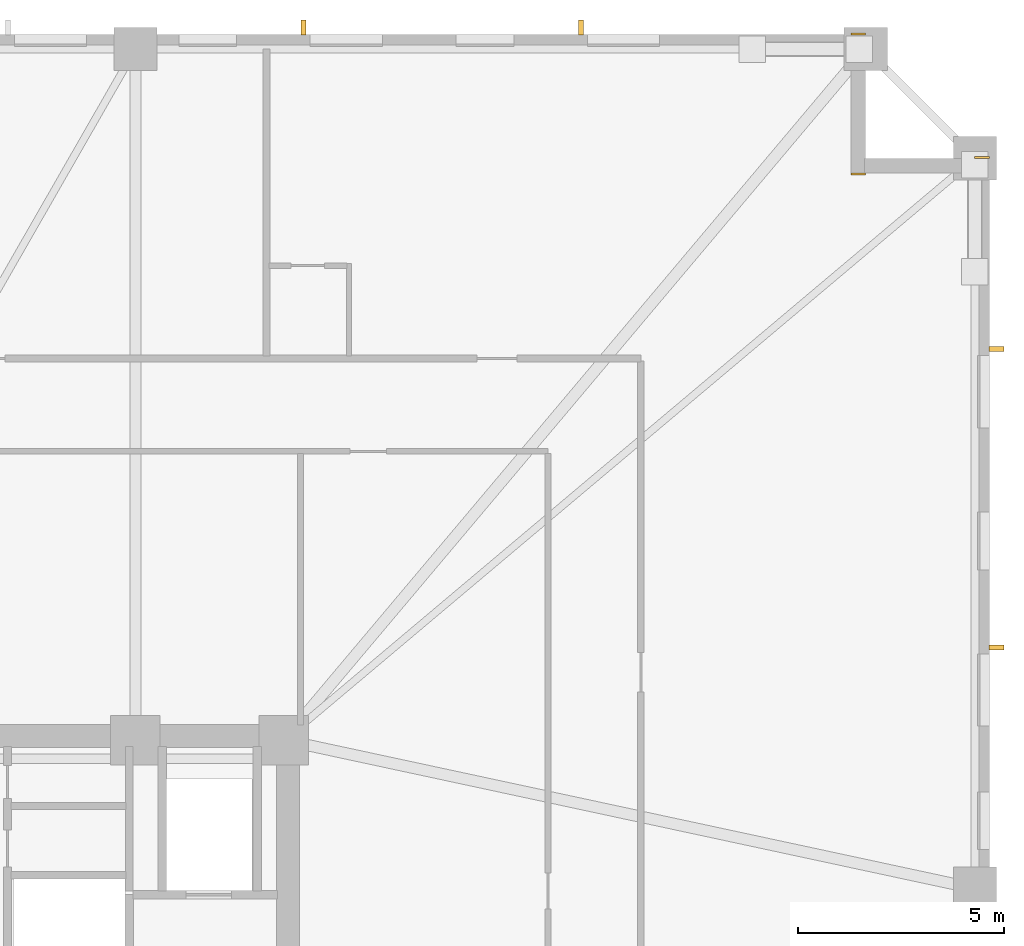
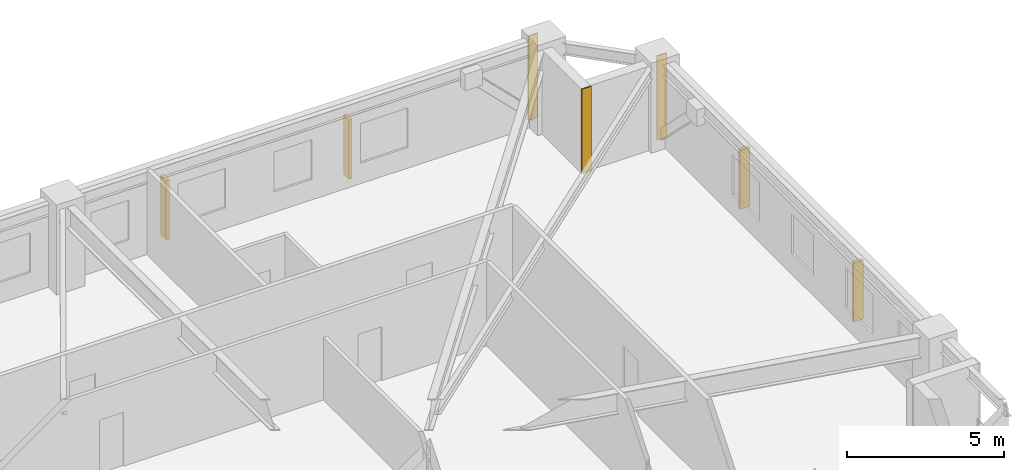
# One storey, part 11 of 11: 4 shading devices, 3 coverings.
"""IFC4 building model written with IfcOpenShell, lengths in metres."""

import ifcopenshell
import ifcopenshell.guid

model = None  # the IFC model being written
_history = None  # IfcOwnerHistory: only IFC2X3 demands one
_inside = {}  # id of a spatial element -> (the spatial element, [elements in it])
_under = {}  # id of a project, library or spatial element -> (it, [spatial elements below it])
_declared = {}  # id of a project -> (the project, [libraries it declares])
_typed = {}  # id of a type object -> (the type object, [elements of that type])
_made_of = {}  # id of a material, layer set ... -> (it, [elements and type objects made of it])


def new_model(schema):
    """Start an empty IFC model of exactly this schema.

    Asked for "IFC4X3", IfcOpenShell would pick the latest addendum, in which some entities
    have other attributes; the version numbers below select the first issue.
    IFC2X3 requires an IfcOwnerHistory on every rooted entity: one is made here for all.
    """
    global model, _history
    if schema == "IFC4X3":
        model = ifcopenshell.file(schema_version=(4, 3, 0, 0))
    else:
        model = ifcopenshell.file(schema=schema)
    _inside.clear()
    _under.clear()
    _declared.clear()
    _typed.clear()
    _made_of.clear()
    _history = None
    if model.schema == "IFC2X3":
        org = make("IfcOrganization", Name="unknown")
        user = make(
            "IfcPersonAndOrganization",
            ThePerson=make("IfcPerson", FamilyName="unknown"),
            TheOrganization=org,
        )
        app = make(
            "IfcApplication",
            ApplicationDeveloper=org,
            Version="unknown",
            ApplicationFullName="unknown",
            ApplicationIdentifier="unknown",
        )
        _history = make(
            "IfcOwnerHistory",
            OwningUser=user,
            OwningApplication=app,
            ChangeAction="ADDED",
            CreationDate=0,
        )
    return model


def make(cls, **values):
    """One entity of the class cls with the attributes given. An attribute that is None is left unset."""
    return model.create_entity(
        cls, **{name: value for name, value in values.items() if value is not None}
    )


def rooted(cls, **values):
    """An entity with a GlobalId (a new one), such as an element, a storey or a relation."""
    return make(cls, GlobalId=ifcopenshell.guid.new(), OwnerHistory=_history, **values)


def si_unit(unit_type, name, prefix=None):
    """IfcSIUnit, for example si_unit("LENGTHUNIT", "METRE", prefix="MILLI")."""
    return make("IfcSIUnit", UnitType=unit_type, Prefix=prefix, Name=name)


def assignment(units):
    """IfcUnitAssignment: the units of a project."""
    return None if units is None else make("IfcUnitAssignment", Units=units)


def point(xyz):
    """IfcCartesianPoint."""
    return None if xyz is None else make("IfcCartesianPoint", Coordinates=xyz)


def direction(xyz):
    """IfcDirection."""
    return None if xyz is None else make("IfcDirection", DirectionRatios=xyz)


def frame(location, z_axis=None, x_axis=None):
    """IfcAxis2Placement3D, a coordinate frame: its origin and axes. An axis left out is left unset."""
    return make(
        "IfcAxis2Placement3D",
        Location=point(location),
        Axis=direction(z_axis),
        RefDirection=direction(x_axis),
    )


def frame_2d(location, x_axis=None):
    """IfcAxis2Placement2D, a coordinate frame in the plane: its origin and x axis."""
    return make(
        "IfcAxis2Placement2D", Location=point(location), RefDirection=direction(x_axis)
    )


def origin():
    """The frame at (0, 0, 0) with its axes left unset."""
    return frame((0.0, 0.0, 0.0))


def origin_2d():
    """The frame at (0, 0) in the plane with its x axis left unset."""
    return frame_2d((0.0, 0.0))


def place(relative_to, where):
    """IfcLocalPlacement: puts the frame where relative to a parent placement (None: the world)."""
    return make(
        "IfcLocalPlacement", PlacementRelTo=relative_to, RelativePlacement=where
    )


def context(
    kind, dimensions, precision=None, world=None, true_north=None, identifier=None
):
    """IfcGeometricRepresentationContext, for example the 3D "Model" context."""
    return make(
        "IfcGeometricRepresentationContext",
        ContextIdentifier=identifier,
        ContextType=kind,
        CoordinateSpaceDimension=dimensions,
        Precision=precision,
        WorldCoordinateSystem=world,
        TrueNorth=true_north,
    )


def subcontext(parent, identifier, kind, view, scale=None):
    """IfcGeometricRepresentationSubContext, for example "Body" below "Model"."""
    return make(
        "IfcGeometricRepresentationSubContext",
        ContextIdentifier=identifier,
        ContextType=kind,
        ParentContext=parent,
        TargetScale=scale,
        TargetView=view,
    )


def project(units=None, contexts=None):
    """IfcProject with its units and contexts."""
    return rooted(
        "IfcProject",
        Name="project",
        RepresentationContexts=contexts,
        UnitsInContext=assignment(units),
    )


def spatial(cls, under=None, at=None, **own):
    """A site, building, storey or space (cls), placed at a placement, below another one or the project."""
    s = rooted(cls, ObjectPlacement=at, **own)
    if under is not None:
        _under.setdefault(under.id(), (under, []))[1].append(s)
    return s


def profile(cls, at=None, kind="AREA", **sizes):
    """A parametric profile (cls). Its sizes go by their IFC names, for example OverallWidth=200.0."""
    return make(cls, ProfileType=kind, Position=at, **sizes)


def rectangle(**sizes):
    """IfcRectangleProfileDef."""
    return profile("IfcRectangleProfileDef", **sizes)


def extrude(swept, where, along, depth):
    """IfcExtrudedAreaSolid: the profile swept, set in the frame where, extruded along a direction by depth."""
    return make(
        "IfcExtrudedAreaSolid",
        SweptArea=swept,
        Position=where,
        ExtrudedDirection=direction(along),
        Depth=depth,
    )


def shape(context_of_items, identifier, shape_type, items):
    """IfcShapeRepresentation: the items that make up one representation, for example the "Body"."""
    return make(
        "IfcShapeRepresentation",
        ContextOfItems=context_of_items,
        RepresentationIdentifier=identifier,
        RepresentationType=shape_type,
        Items=items,
    )


def material(Name=None, Category=None):
    """IfcMaterial."""
    return make("IfcMaterial", Name=Name, Category=Category)


def layer(
    of_material, thickness, ventilated=None, Name=None, Category=None, Priority=None
):
    """IfcMaterialLayer: one layer of a wall or slab, of a material (None: an air gap)."""
    return make(
        "IfcMaterialLayer",
        Material=of_material,
        LayerThickness=thickness,
        IsVentilated=ventilated,
        Name=Name,
        Category=Category,
        Priority=Priority,
    )


def layer_set(layers, Name=None):
    """IfcMaterialLayerSet."""
    return make("IfcMaterialLayerSet", MaterialLayers=layers, LayerSetName=Name)


def made_of(thing, what):
    """Note that an element or type object is made of a material, layer set ...; save() writes the relation."""
    if what is not None:
        _made_of.setdefault(what.id(), (what, []))[1].append(thing)
    return thing


def type_object(cls, material=None, **own):
    """A type object (cls), such as IfcWallType, which elements share."""
    return made_of(rooted(cls, **own), material)


def element(
    cls,
    number,
    at=None,
    inside=None,
    cuts=None,
    type_object=None,
    material=None,
    context=None,
    identifier="Body",
    shape_type=None,
    held_by="IfcProductDefinitionShape",
    body=None,
    shapes=None,
    **own,
):
    """One element of the class cls, such as IfcWall. Its Tag is "e" and its number.

    at: its placement. inside: the storey or other place that contains it. cuts: it is an
    opening in that element (IfcRelVoidsElement). A single representation is given by context,
    identifier, shape_type and body (its items); several are given by shapes. held_by: the class
    of the entity that holds the representations. save() writes the other relations.
    """
    e = rooted(cls, Tag="e%d" % number, ObjectPlacement=at, **own)
    if body is not None:
        shapes = [shape(context, identifier, shape_type, body)]
    if shapes is not None:
        e.Representation = make(held_by, Representations=shapes)
    if inside is not None:
        _inside.setdefault(inside.id(), (inside, []))[1].append(e)
    if cuts is not None:
        rooted(
            "IfcRelVoidsElement", RelatingBuildingElement=cuts, RelatedOpeningElement=e
        )
    if type_object is not None:
        _typed.setdefault(type_object.id(), (type_object, []))[1].append(e)
    return made_of(e, material)


def aggregate(whole, parts):
    """IfcRelAggregates: a whole, such as a stair, and the parts it consists of."""
    return rooted("IfcRelAggregates", RelatingObject=whole, RelatedObjects=parts)


def save(model, path):
    """Write the relations noted so far, then the file.

    IfcRelAggregates (storeys below a building ...), IfcRelContainedInSpatialStructure (elements
    in a storey), IfcRelDefinesByType, IfcRelAssociatesMaterial and IfcRelDeclares: one each for
    every whole, place, type object, material and project.
    """
    for whole, parts in _under.values():
        aggregate(whole, parts)
    for where, things in _inside.values():
        rooted(
            "IfcRelContainedInSpatialStructure",
            RelatedElements=things,
            RelatingStructure=where,
        )
    for kind, things in _typed.values():
        rooted("IfcRelDefinesByType", RelatedObjects=things, RelatingType=kind)
    for what, things in _made_of.values():
        rooted("IfcRelAssociatesMaterial", RelatedObjects=things, RelatingMaterial=what)
    for by, libraries in _declared.values():
        rooted("IfcRelDeclares", RelatingContext=by, RelatedDefinitions=libraries)
    model.write(path)


model = new_model("IFC4")

# Units and contexts
model_context = context("Model", 3, precision=1e-05, world=origin(), true_north=direction((0.0, 1.0)))
body_context = subcontext(model_context, "Body", "Model", "MODEL_VIEW")
ifc_project = project(units=[si_unit("LENGTHUNIT", "METRE"), si_unit("AREAUNIT", "SQUARE_METRE"), si_unit("VOLUMEUNIT", "CUBIC_METRE"), si_unit("PLANEANGLEUNIT", "RADIAN"), si_unit("MASSUNIT", "GRAM", prefix="KILO")], contexts=[model_context])

# Site, building, storey
site_placement = place(None, origin())
site = spatial("IfcSite", under=ifc_project, at=site_placement, CompositionType="ELEMENT")
building_placement = place(site_placement, origin())
building = spatial("IfcBuilding", under=site, at=building_placement, Name="Cairnveth Concourse Tower", CompositionType="ELEMENT")
storey_placement = place(building_placement, frame((0.0, 0.0, 65.5)))
storey = spatial("IfcBuildingStorey", under=building, at=storey_placement, Name="L17", CompositionType="ELEMENT", Elevation=65.5)

# Coverings
ifc_material_1 = material(Name="Dressed Melbourne Bluestone Cladding", Category="masonry")
ifc_layer = layer(ifc_material_1, 0.050048828125)
ifc_layer_set = layer_set([ifc_layer], Name="Dressed Melbourne Bluestone Cladding")
covering_type = type_object("IfcCoveringType", Name="DRESSED BLUESTONE PLINTH CLADDING 50", PredefinedType="CLADDING", material=ifc_layer_set)
for number, where, z_axis, x_axis, name in (
    (1, (74.139892578125, 64.52001953125, 0.0), (0.0, 0.0, 1.0), (1.0, 0.0, 0.0), "Melbourne Bluestone Corner Quoin L17-225"),
    (2, (74.139892578125, 61.1201171875, 0.0), (0.0, 0.0, 1.0), (1.0, 0.0, 0.0), "Melbourne Bluestone Corner Quoin L17-226"),
    (3, (77.139892578125, 61.52001953125, 0.0), (0.0, 0.0, 1.0), (1.0, 0.0, 0.0), "Melbourne Bluestone Corner Quoin L17-227"),
):
    element("IfcCovering", number, at=place(storey_placement, frame(where, z_axis=z_axis, x_axis=x_axis)), inside=storey, type_object=covering_type, Name=name, PredefinedType="CLADDING", context=body_context, shape_type="SweptSolid", body=[
        extrude(rectangle(XDim=0.360107421875, YDim=0.050048828125, at=frame_2d((0.18017578125, 0.0))), origin(), (0.0, 0.0, 1.0), 3.280029296875),
    ])

# Shading devices
ifc_material_2 = material(Name="Architectural Bronze Anodised Aluminium 6063-T6", Category="aluminium")
shading_device_type = type_object("IfcShadingDeviceType", Name="GOTHIC BRONZE VERTICAL LANCET FIN", PredefinedType="USERDEFINED", material=ifc_material_2)
for number, where, z_axis, x_axis, name in (
    (4, (60.87646484375, 64.675048828125, 0.02978515625), (0.0, 0.0, 1.0), (1.0, 0.0, 0.0), "Gothic Bronze Vertical Fin L17-9-9"),
    (5, (67.596923828125, 64.675048828125, 0.02978515625), (0.0, 0.0, 1.0), (1.0, 0.0, 0.0), "Gothic Bronze Vertical Fin L17-9-11"),
    (6, (77.675048828125, 56.877197265625, 0.02978515625), (0.0, 0.0, 1.0), (0.0, 1.0, 0.0), "Gothic Bronze Vertical Fin L17-12-1"),
    (7, (77.675048828125, 49.646240234375, 0.02978515625), (0.0, 0.0, 1.0), (0.0, 1.0, 0.0), "Gothic Bronze Vertical Fin L17-12-3"),
):
    element("IfcShadingDevice", number, at=place(storey_placement, frame(where, z_axis=z_axis, x_axis=x_axis)), inside=storey, type_object=shading_device_type, Name=name, ObjectType="VERTICAL FIN", PredefinedType="USERDEFINED", context=body_context, shape_type="SweptSolid", body=[
        extrude(rectangle(XDim=0.1201171875, YDim=0.360107421875, at=origin_2d()), origin(), (0.0, 0.0, 1.0), 2.303955078125),
    ])

save(model, "model.ifc")
